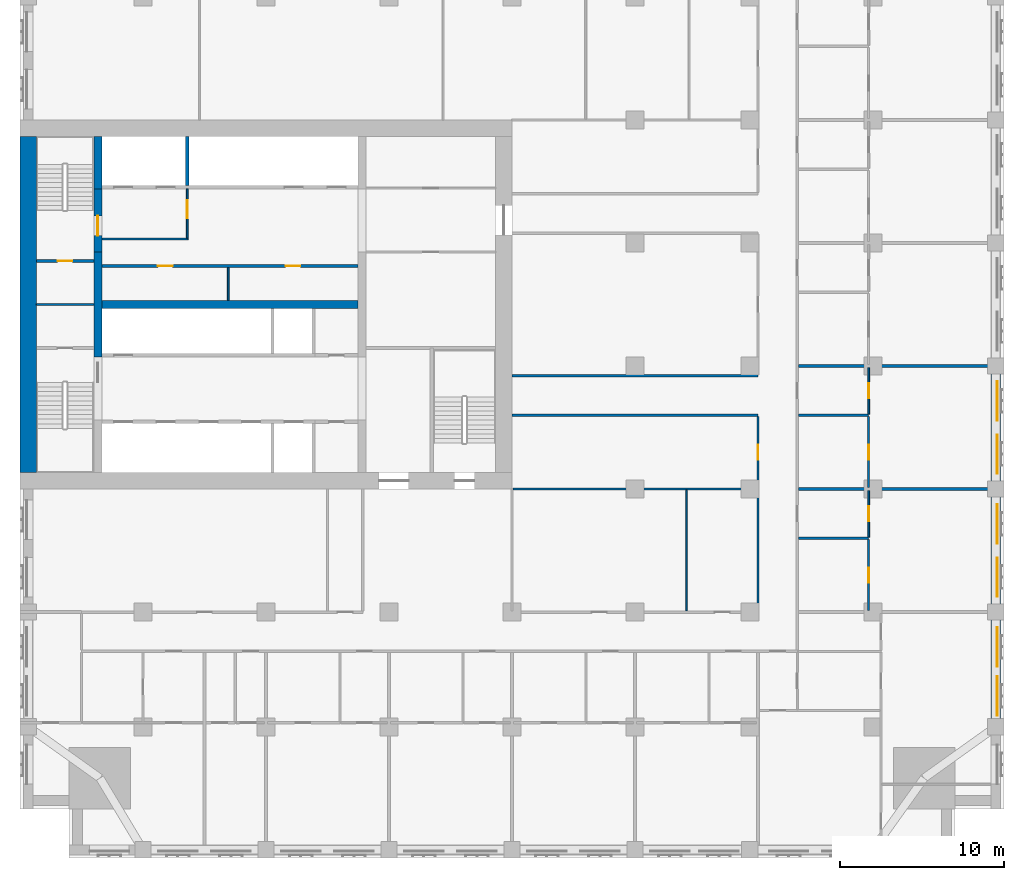
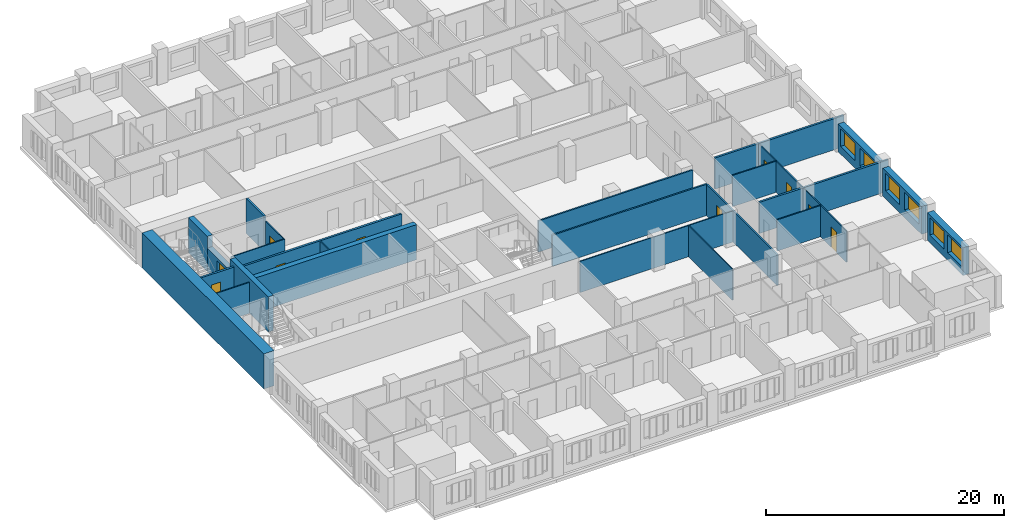
# One storey, part 7 of 14: 28 walls, 10 doors, 6 windows, 16 openings.
"""IFC4 building model written with IfcOpenShell, lengths in metres."""

from ifc_helpers import new_model, si_unit, direction, frame, frame_2d, origin, place, context, subcontext, project, spatial, rectangle, extrude, material, layer, layer_set, type_object, element, fill, save


model = new_model("IFC4")

# Units and contexts
model_context = context("Model", 3, precision=1e-05, world=origin(), true_north=direction((0.0, 1.0)))
body_context = subcontext(model_context, "Body", "Model", "MODEL_VIEW")
ifc_project = project(units=[si_unit("LENGTHUNIT", "METRE"), si_unit("AREAUNIT", "SQUARE_METRE"), si_unit("VOLUMEUNIT", "CUBIC_METRE"), si_unit("PLANEANGLEUNIT", "RADIAN"), si_unit("MASSUNIT", "GRAM", prefix="KILO")], contexts=[model_context])

# Site, building, storey
site_placement = place(None, origin())
site = spatial("IfcSite", under=ifc_project, at=site_placement, CompositionType="ELEMENT")
building_placement = place(site_placement, origin())
building = spatial("IfcBuilding", under=site, at=building_placement, Name="Tamorin Gate", CompositionType="ELEMENT")
storey_placement = place(building_placement, frame((0.0, 0.0, 115.10009765625)))
storey = spatial("IfcBuildingStorey", under=building, at=storey_placement, Name="L28", CompositionType="ELEMENT", Elevation=115.10009765625)

# Wall, openings, windows
ifc_material_1 = material(Name="Precast concrete C40/50", Category="concrete")
ifc_layer_1 = layer(ifc_material_1, 0.60009765625)
ifc_layer_set_1 = layer_set([ifc_layer_1], Name="Precast concrete C40/50")
wall_type_1 = type_object("IfcWallType", Name="Board-marked concrete facade panel 600", PredefinedType="SOLIDWALL", material=ifc_layer_set_1)
wall_1_placement = place(storey_placement, frame((89.5, 46.0, 0.0), z_axis=(0.0, 0.0, 1.0), x_axis=(0.0, 1.0, 0.0)))
wall_1 = element("IfcWall", 1, at=wall_1_placement, inside=storey, type_object=wall_type_1, Name="Facade panel", PredefinedType="SOLIDWALL", context=body_context, shape_type="SweptSolid", body=[
    extrude(rectangle(XDim=6.0, YDim=0.60009765625, at=frame_2d((3.0, 0.0))), origin(), (0.0, 0.0, 1.0), 2.849853515625),
])
opening_1_placement = place(wall_1_placement, frame((0.175048828125, 0.0, 0.800048828125)))
opening_1 = element("IfcOpeningElement", 2, at=opening_1_placement, cuts=wall_1, Name="Opening WN1", PredefinedType="OPENING", context=body_context, shape_type="SweptSolid", body=[
    extrude(rectangle(XDim=2.39990234375, YDim=1.800048828125, at=frame_2d((1.199951171875, 0.89990234375))), frame((0.0, 0.31005859375, 0.0), z_axis=(0.0, -1.0, 0.0), x_axis=(1.0, 0.0, 0.0)), (0.0, 0.0, 1.0), 0.6201171875),
])
opening_2_placement = place(wall_1_placement, frame((3.175048828125, 0.0, 0.800048828125)))
opening_2 = element("IfcOpeningElement", 3, at=opening_2_placement, cuts=wall_1, Name="Opening WN1", PredefinedType="OPENING", context=body_context, shape_type="SweptSolid", body=[
    extrude(rectangle(XDim=2.39990234375, YDim=1.800048828125, at=frame_2d((1.199951171875, 0.89990234375))), frame((0.0, 0.31005859375, 0.0), z_axis=(0.0, -1.0, 0.0), x_axis=(1.0, 0.0, 0.0)), (0.0, 0.0, 1.0), 0.6201171875),
])
ifc_material_2 = material(Name="Clear glass in aluminium frame", Category="aluminium")
window_type = type_object("IfcWindowType", Name="Deep-set window 2400x1800", PartitioningType="SINGLE_PANEL", PredefinedType="WINDOW", material=ifc_material_2)
window_1_placement = place(opening_1_placement, origin())
window_1 = element("IfcWindow", 4, at=window_1_placement, inside=storey, type_object=window_type, Name="Deep-set window", OverallHeight=1.800048828125, OverallWidth=2.39990234375, PartitioningType="SINGLE_PANEL", PredefinedType="WINDOW", context=body_context, shape_type="SweptSolid", body=[
    extrude(rectangle(XDim=2.39990234375, YDim=1.800048828125, at=frame_2d((1.199951171875, 0.89990234375))), frame((0.0, -0.070068359375, 0.0), z_axis=(0.0, -1.0, 0.0), x_axis=(1.0, 0.0, 0.0)), (0.0, 0.0, 1.0), 0.06005859375),
])
fill(opening_1, window_1)
window_2_placement = place(opening_2_placement, origin())
window_2 = element("IfcWindow", 5, at=window_2_placement, inside=storey, type_object=window_type, Name="Deep-set window", OverallHeight=1.800048828125, OverallWidth=2.39990234375, PartitioningType="SINGLE_PANEL", PredefinedType="WINDOW", context=body_context, shape_type="SweptSolid", body=[
    extrude(rectangle(XDim=2.39990234375, YDim=1.800048828125, at=frame_2d((1.199951171875, 0.89990234375))), frame((0.0, -0.070068359375, 0.0), z_axis=(0.0, -1.0, 0.0), x_axis=(1.0, 0.0, 0.0)), (0.0, 0.0, 1.0), 0.06005859375),
])
fill(opening_2, window_2)

wall_2_placement = place(storey_placement, frame((89.5, 53.0, 0.0), z_axis=(0.0, 0.0, 1.0), x_axis=(0.0, 1.0, 0.0)))
wall_2 = element("IfcWall", 6, at=wall_2_placement, inside=storey, type_object=wall_type_1, Name="Facade panel", PredefinedType="SOLIDWALL", context=body_context, shape_type="SweptSolid", body=[
    extrude(rectangle(XDim=6.5, YDim=0.60009765625, at=frame_2d((3.25, 0.0))), origin(), (0.0, 0.0, 1.0), 2.849853515625),
])
opening_3_placement = place(wall_2_placement, frame((0.425048828125, 0.0, 0.800048828125)))
opening_3 = element("IfcOpeningElement", 7, at=opening_3_placement, cuts=wall_2, Name="Opening WN1", PredefinedType="OPENING", context=body_context, shape_type="SweptSolid", body=[
    extrude(rectangle(XDim=2.39990234375, YDim=1.800048828125, at=frame_2d((1.199951171875, 0.89990234375))), frame((0.0, 0.31005859375, 0.0), z_axis=(0.0, -1.0, 0.0), x_axis=(1.0, 0.0, 0.0)), (0.0, 0.0, 1.0), 0.6201171875),
])
opening_4_placement = place(wall_2_placement, frame((3.675048828125, 0.0, 0.800048828125)))
opening_4 = element("IfcOpeningElement", 8, at=opening_4_placement, cuts=wall_2, Name="Opening WN1", PredefinedType="OPENING", context=body_context, shape_type="SweptSolid", body=[
    extrude(rectangle(XDim=2.39990234375, YDim=1.800048828125, at=frame_2d((1.199951171875, 0.89990234375))), frame((0.0, 0.31005859375, 0.0), z_axis=(0.0, -1.0, 0.0), x_axis=(1.0, 0.0, 0.0)), (0.0, 0.0, 1.0), 0.6201171875),
])
window_3_placement = place(opening_3_placement, origin())
window_3 = element("IfcWindow", 9, at=window_3_placement, inside=storey, type_object=window_type, Name="Deep-set window", OverallHeight=1.800048828125, OverallWidth=2.39990234375, PartitioningType="SINGLE_PANEL", PredefinedType="WINDOW", context=body_context, shape_type="SweptSolid", body=[
    extrude(rectangle(XDim=2.39990234375, YDim=1.800048828125, at=frame_2d((1.199951171875, 0.89990234375))), frame((0.0, -0.070068359375, 0.0), z_axis=(0.0, -1.0, 0.0), x_axis=(1.0, 0.0, 0.0)), (0.0, 0.0, 1.0), 0.06005859375),
])
fill(opening_3, window_3)
window_4_placement = place(opening_4_placement, origin())
window_4 = element("IfcWindow", 10, at=window_4_placement, inside=storey, type_object=window_type, Name="Deep-set window", OverallHeight=1.800048828125, OverallWidth=2.39990234375, PartitioningType="SINGLE_PANEL", PredefinedType="WINDOW", context=body_context, shape_type="SweptSolid", body=[
    extrude(rectangle(XDim=2.39990234375, YDim=1.800048828125, at=frame_2d((1.199951171875, 0.89990234375))), frame((0.0, -0.070068359375, 0.0), z_axis=(0.0, -1.0, 0.0), x_axis=(1.0, 0.0, 0.0)), (0.0, 0.0, 1.0), 0.06005859375),
])
fill(opening_4, window_4)

wall_3_placement = place(storey_placement, frame((89.5, 60.5, 0.0), z_axis=(0.0, 0.0, 1.0), x_axis=(0.0, 1.0, 0.0)))
wall_3 = element("IfcWall", 11, at=wall_3_placement, inside=storey, type_object=wall_type_1, Name="Facade panel", PredefinedType="SOLIDWALL", context=body_context, shape_type="SweptSolid", body=[
    extrude(rectangle(XDim=6.5, YDim=0.60009765625, at=frame_2d((3.25, 0.0))), origin(), (0.0, 0.0, 1.0), 2.849853515625),
])
opening_5_placement = place(wall_3_placement, frame((0.425048828125, 0.0, 0.800048828125)))
opening_5 = element("IfcOpeningElement", 12, at=opening_5_placement, cuts=wall_3, Name="Opening WN1", PredefinedType="OPENING", context=body_context, shape_type="SweptSolid", body=[
    extrude(rectangle(XDim=2.39990234375, YDim=1.800048828125, at=frame_2d((1.199951171875, 0.89990234375))), frame((0.0, 0.31005859375, 0.0), z_axis=(0.0, -1.0, 0.0), x_axis=(1.0, 0.0, 0.0)), (0.0, 0.0, 1.0), 0.6201171875),
])
opening_6_placement = place(wall_3_placement, frame((3.675048828125, 0.0, 0.800048828125)))
opening_6 = element("IfcOpeningElement", 13, at=opening_6_placement, cuts=wall_3, Name="Opening WN1", PredefinedType="OPENING", context=body_context, shape_type="SweptSolid", body=[
    extrude(rectangle(XDim=2.39990234375, YDim=1.800048828125, at=frame_2d((1.199951171875, 0.89990234375))), frame((0.0, 0.31005859375, 0.0), z_axis=(0.0, -1.0, 0.0), x_axis=(1.0, 0.0, 0.0)), (0.0, 0.0, 1.0), 0.6201171875),
])
window_5_placement = place(opening_5_placement, origin())
window_5 = element("IfcWindow", 14, at=window_5_placement, inside=storey, type_object=window_type, Name="Deep-set window", OverallHeight=1.800048828125, OverallWidth=2.39990234375, PartitioningType="SINGLE_PANEL", PredefinedType="WINDOW", context=body_context, shape_type="SweptSolid", body=[
    extrude(rectangle(XDim=2.39990234375, YDim=1.800048828125, at=frame_2d((1.199951171875, 0.89990234375))), frame((0.0, -0.070068359375, 0.0), z_axis=(0.0, -1.0, 0.0), x_axis=(1.0, 0.0, 0.0)), (0.0, 0.0, 1.0), 0.06005859375),
])
fill(opening_5, window_5)
window_6_placement = place(opening_6_placement, origin())
window_6 = element("IfcWindow", 15, at=window_6_placement, inside=storey, type_object=window_type, Name="Deep-set window", OverallHeight=1.800048828125, OverallWidth=2.39990234375, PartitioningType="SINGLE_PANEL", PredefinedType="WINDOW", context=body_context, shape_type="SweptSolid", body=[
    extrude(rectangle(XDim=2.39990234375, YDim=1.800048828125, at=frame_2d((1.199951171875, 0.89990234375))), frame((0.0, -0.070068359375, 0.0), z_axis=(0.0, -1.0, 0.0), x_axis=(1.0, 0.0, 0.0)), (0.0, 0.0, 1.0), 0.06005859375),
])
fill(opening_6, window_6)

# Wall, opening, door
ifc_material_3 = material(Name="Gypsum board partition")
ifc_layer_2 = layer(ifc_material_3, 0.14990234375)
ifc_layer_set_2 = layer_set([ifc_layer_2], Name="Corridor wall 150")
wall_type_2 = type_object("IfcWallType", Name="Corridor wall 150", PredefinedType="PARTITIONING", material=ifc_layer_set_2)
wall_4_placement = place(storey_placement, frame((75.0, 52.574951171875, 0.0), z_axis=(0.0, 0.0, 1.0), x_axis=(0.0, 1.0, 0.0)))
wall_4 = element("IfcWall", 16, at=wall_4_placement, inside=storey, type_object=wall_type_2, Name="Corridor wall 150", PredefinedType="PARTITIONING", context=body_context, shape_type="SweptSolid", body=[
    extrude(rectangle(XDim=11.85009765625, YDim=0.14990234375, at=frame_2d((5.925048828125, 0.0))), origin(), (0.0, 0.0, 1.0), 3.199951171875),
])
opening_7_placement = place(wall_4_placement, frame((9.22509765625, 0.0, 0.0)))
opening_7 = element("IfcOpeningElement", 17, at=opening_7_placement, cuts=wall_4, Name="Opening DH7075", PredefinedType="OPENING", context=body_context, shape_type="SweptSolid", body=[
    extrude(rectangle(XDim=0.89990234375, YDim=2.10009765625, at=frame_2d((0.449951171875, 1.050048828125))), frame((0.0, 0.0849609375, 0.0), z_axis=(0.0, -1.0, 0.0), x_axis=(1.0, 0.0, 0.0)), (0.0, 0.0, 1.0), 0.169921875),
])
ifc_material_4 = material(Name="Timber door leaf", Category="wood")
door_type_1 = type_object("IfcDoorType", Name="Door 900 x 2100 FD30S", OperationType="NOTDEFINED", PredefinedType="DOOR", material=ifc_material_4)
door_1_placement = place(opening_7_placement, origin())
door_1 = element("IfcDoor", 18, at=door_1_placement, inside=storey, type_object=door_type_1, Name="Door DH7075", OperationType="SINGLE_SWING_LEFT", OverallHeight=2.10009765625, OverallWidth=0.89990234375, PredefinedType="DOOR", context=body_context, shape_type="SweptSolid", body=[
    extrude(rectangle(XDim=0.89990234375, YDim=2.10009765625, at=frame_2d((0.449951171875, 1.050048828125))), frame((0.0, 0.02490234375, 0.0), z_axis=(0.0, -1.0, 0.0), x_axis=(1.0, 0.0, 0.0)), (0.0, 0.0, 1.0), 0.050048828125),
])
fill(opening_7, door_1)

# Walls
ifc_layer_3 = layer(ifc_material_3, 0.199951171875)
ifc_layer_set_3 = layer_set([ifc_layer_3], Name="Demising wall 200")
wall_type_3 = type_object("IfcWallType", Name="Demising wall 200", PredefinedType="PARTITIONING", material=ifc_layer_set_3)
for number, where, z_axis, x_axis, name in (
    (19, (77.47509765625, 60.0, 0.0), (0.0, 0.0, 1.0), (1.0, 0.0, 0.0), "Demising wall 200"),
    (20, (77.47509765625, 67.5, 0.0), (0.0, 0.0, 1.0), (1.0, 0.0, 0.0), "Demising wall 200"),
):
    element("IfcWall", number, at=place(storey_placement, frame(where, z_axis=z_axis, x_axis=x_axis)), inside=storey, type_object=wall_type_3, Name=name, PredefinedType="PARTITIONING", context=body_context, shape_type="SweptSolid", body=[
        extrude(rectangle(XDim=12.52490234375, YDim=0.199951171875, at=frame_2d((6.262451171875, 0.0))), origin(), (0.0, 0.0, 1.0), 3.199951171875),
    ])
ifc_material_5 = material(Name="Concrete C32/40", Category="concrete")
ifc_layer_4 = layer(ifc_material_5, 0.199951171875)
ifc_layer_set_4 = layer_set([ifc_layer_4], Name="Lift shaft wall 200 EI 120")
wall_type_4 = type_object("IfcWallType", Name="Lift shaft wall 200 EI 120", PredefinedType="SOLIDWALL", material=ifc_layer_set_4)
wall_5_placement = place(storey_placement, frame((40.199951171875, 78.5, 0.0), z_axis=(0.0, 0.0, 1.0), x_axis=(0.0, 1.0, 0.0)))
element("IfcWall", 21, at=wall_5_placement, inside=storey, type_object=wall_type_4, Name="Lift shaft wall", PredefinedType="SOLIDWALL", context=body_context, shape_type="SweptSolid", body=[
    extrude(rectangle(XDim=3.0, YDim=0.199951171875, at=frame_2d((1.5, 0.0))), origin(), (0.0, 0.0, 1.0), 3.599853515625),
])
ifc_material_6 = material(Name="Fire-rated gypsum board partition")
ifc_layer_5 = layer(ifc_material_6, 0.10009765625)
ifc_layer_set_5 = layer_set([ifc_layer_5], Name="Lobby wall 100 EI 60")
wall_type_5 = type_object("IfcWallType", Name="Lobby wall 100 EI 60", PredefinedType="PARTITIONING", material=ifc_layer_set_5)
wall_6_placement = place(storey_placement, frame((35.0, 75.25, 0.0), z_axis=(0.0, 0.0, 1.0), x_axis=(1.0, 0.0, 0.0)))
element("IfcWall", 22, at=wall_6_placement, inside=storey, type_object=wall_type_5, Name="Firefighting lobby wall", PredefinedType="PARTITIONING", context=body_context, shape_type="SweptSolid", body=[
    extrude(rectangle(XDim=5.25, YDim=0.10009765625, at=frame_2d((2.625, 0.0))), origin(), (0.0, 0.0, 1.0), 3.18994140625),
])

# Wall, opening, door
wall_7_placement = place(storey_placement, frame((40.199951171875, 75.300048828125, 0.0), z_axis=(0.0, 0.0, 1.0), x_axis=(0.0, 1.0, 0.0)))
wall_7 = element("IfcWall", 23, at=wall_7_placement, inside=storey, type_object=wall_type_5, Name="Firefighting lobby wall", PredefinedType="PARTITIONING", context=body_context, shape_type="SweptSolid", body=[
    extrude(rectangle(XDim=3.0, YDim=0.10009765625, at=frame_2d((1.5, 0.0))), origin(), (0.0, 0.0, 1.0), 3.18994140625),
])
opening_8_placement = place(wall_7_placement, frame((1.199951171875, 0.0, 0.0)))
opening_8 = element("IfcOpeningElement", 24, at=opening_8_placement, cuts=wall_7, Name="Opening DF1", PredefinedType="OPENING", context=body_context, shape_type="SweptSolid", body=[
    extrude(rectangle(XDim=1.10009765625, YDim=2.10009765625, at=frame_2d((0.550048828125, 1.050048828125))), frame((0.0, 0.06005859375, 0.0), z_axis=(0.0, -1.0, 0.0), x_axis=(1.0, 0.0, 0.0)), (0.0, 0.0, 1.0), 0.1201171875),
])
ifc_material_7 = material(Name="Steel fire door", Category="steel")
door_type_2 = type_object("IfcDoorType", Name="Firefighting lobby door 1100 x 2100 EI 90", OperationType="SINGLE_SWING_LEFT", PredefinedType="DOOR", material=ifc_material_7)
door_2_placement = place(opening_8_placement, origin())
door_2 = element("IfcDoor", 25, at=door_2_placement, inside=storey, type_object=door_type_2, Name="Firefighting lobby door", OperationType="SINGLE_SWING_LEFT", OverallHeight=2.10009765625, OverallWidth=1.10009765625, PredefinedType="DOOR", context=body_context, shape_type="SweptSolid", body=[
    extrude(rectangle(XDim=1.10009765625, YDim=2.10009765625, at=frame_2d((0.550048828125, 1.050048828125))), frame((0.0, 0.02490234375, 0.0), z_axis=(0.0, -1.0, 0.0), x_axis=(1.0, 0.0, 0.0)), (0.0, 0.0, 1.0), 0.050048828125),
])
fill(opening_8, door_2)

# Walls
ifc_layer_6 = layer(ifc_material_3, 0.14990234375)
ifc_layer_set_6 = layer_set([ifc_layer_6], Name="Lobby wall 150")
wall_type_6 = type_object("IfcWallType", Name="Lobby wall 150", PredefinedType="PARTITIONING", material=ifc_layer_set_6)
for number, where, z_axis, x_axis, name in (
    (26, (60.0, 64.5, 0.0), (0.0, 0.0, 1.0), (1.0, 0.0, 0.0), "Lobby wall 150"),
    (27, (60.0, 66.89990234375, 0.0), (0.0, 0.0, 1.0), (1.0, 0.0, 0.0), "Lobby wall 150"),
):
    element("IfcWall", number, at=place(storey_placement, frame(where, z_axis=z_axis, x_axis=x_axis)), inside=storey, type_object=wall_type_6, Name=name, PredefinedType="PARTITIONING", context=body_context, shape_type="SweptSolid", body=[
        extrude(rectangle(XDim=15.0, YDim=0.14990234375, at=frame_2d((7.5, 0.0))), origin(), (0.0, 0.0, 1.0), 3.199951171875),
    ])
ifc_material_8 = material(Name="Concrete C80/95", Category="concrete")
ifc_layer_7 = layer(ifc_material_8, 0.5)
ifc_layer_set_7 = layer_set([ifc_layer_7], Name="RC core internal wall 500 C80/95")
wall_type_7 = type_object("IfcWallType", Name="RC core internal wall 500 C80/95", PredefinedType="SHEAR", material=ifc_layer_set_7)
wall_8_placement = place(storey_placement, frame((35.0, 71.25, 0.0), z_axis=(0.0, 0.0, 1.0), x_axis=(1.0, 0.0, 0.0)))
element("IfcWall", 28, at=wall_8_placement, inside=storey, type_object=wall_type_7, Name="Core spine wall L28", PredefinedType="SHEAR", context=body_context, shape_type="SweptSolid", body=[
    extrude(rectangle(XDim=15.60009765625, YDim=0.5, at=frame_2d((7.800048828125, 0.0))), origin(), (0.0, 0.0, 1.0), 3.599853515625),
])
wall_9_placement = place(storey_placement, frame((34.75, 68.050048828125, 0.0), z_axis=(0.0, 0.0, 1.0), x_axis=(0.0, 1.0, 0.0)))
element("IfcWall", 29, at=wall_9_placement, inside=storey, type_object=wall_type_7, Name="Core cross wall L28", PredefinedType="SHEAR", context=body_context, shape_type="SweptSolid", body=[
    extrude(rectangle(XDim=6.39990234375, YDim=0.5, at=frame_2d((3.199951171875, 0.0))), origin(), (0.0, 0.0, 1.0), 3.599853515625),
])
wall_10_placement = place(storey_placement, frame((34.75, 78.300048828125, 0.0), z_axis=(0.0, 0.0, 1.0), x_axis=(0.0, 1.0, 0.0)))
element("IfcWall", 30, at=wall_10_placement, inside=storey, type_object=wall_type_7, Name="Core cross wall L28", PredefinedType="SHEAR", context=body_context, shape_type="SweptSolid", body=[
    extrude(rectangle(XDim=3.199951171875, YDim=0.5, at=frame_2d((1.60009765625, 0.0))), origin(), (0.0, 0.0, 1.0), 3.599853515625),
])
ifc_layer_8 = layer(ifc_material_8, 1.0)
ifc_layer_set_8 = layer_set([ifc_layer_8], Name="RC core wall 1000 C80/95")
wall_type_8 = type_object("IfcWallType", Name="RC core wall 1000 C80/95", PredefinedType="SHEAR", material=ifc_layer_set_8)
wall_11_placement = place(storey_placement, frame((30.5, 61.0, 0.0), z_axis=(0.0, 0.0, 1.0), x_axis=(0.0, 1.0, 0.0)))
element("IfcWall", 31, at=wall_11_placement, inside=storey, type_object=wall_type_8, Name="Core wall L28", PredefinedType="SHEAR", context=body_context, shape_type="SweptSolid", body=[
    extrude(rectangle(XDim=20.5, YDim=1.0, at=frame_2d((10.25, 0.0))), origin(), (0.0, 0.0, 1.0), 3.599853515625),
])
ifc_layer_9 = layer(ifc_material_6, 0.10009765625)
ifc_layer_set_9 = layer_set([ifc_layer_9], Name="Riser partition 100 EI 120")
wall_type_9 = type_object("IfcWallType", Name="Riser partition 100 EI 120", PredefinedType="PARTITIONING", material=ifc_layer_set_9)
wall_12_placement = place(storey_placement, frame((31.0, 71.25, 0.0), z_axis=(0.0, 0.0, 1.0), x_axis=(1.0, 0.0, 0.0)))
element("IfcWall", 32, at=wall_12_placement, inside=storey, type_object=wall_type_9, Name="Riser partition", PredefinedType="PARTITIONING", context=body_context, shape_type="SweptSolid", body=[
    extrude(rectangle(XDim=3.5, YDim=0.10009765625, at=frame_2d((1.75, 0.0))), origin(), (0.0, 0.0, 1.0), 3.18994140625),
])
ifc_layer_10 = layer(ifc_material_3, 0.10009765625)
ifc_layer_set_10 = layer_set([ifc_layer_10], Name="Room partition 100")
wall_type_10 = type_object("IfcWallType", Name="Room partition 100", PredefinedType="PARTITIONING", material=ifc_layer_set_10)
wall_13_placement = place(storey_placement, frame((60.074951171875, 60.0, 0.0), z_axis=(0.0, 0.0, 1.0), x_axis=(1.0, 0.0, 0.0)))
element("IfcWall", 33, at=wall_13_placement, inside=storey, type_object=wall_type_10, Name="Room partition 100", PredefinedType="PARTITIONING", context=body_context, shape_type="SweptSolid", body=[
    extrude(rectangle(XDim=14.85009765625, YDim=0.10009765625, at=frame_2d((7.425048828125, 0.0))), origin(), (0.0, 0.0, 1.0), 3.199951171875),
])
wall_14_placement = place(storey_placement, frame((70.64990234375, 52.574951171875, 0.0), z_axis=(0.0, 0.0, 1.0), x_axis=(0.0, 1.0, 0.0)))
element("IfcWall", 34, at=wall_14_placement, inside=storey, type_object=wall_type_10, Name="Room partition 100", PredefinedType="PARTITIONING", context=body_context, shape_type="SweptSolid", body=[
    extrude(rectangle(XDim=7.375, YDim=0.10009765625, at=frame_2d((3.6875, 0.0))), origin(), (0.0, 0.0, 1.0), 3.199951171875),
])

# Wall, opening, door
wall_15_placement = place(storey_placement, frame((81.75, 57.0625, 0.0), z_axis=(0.0, 0.0, 1.0), x_axis=(0.0, 1.0, 0.0)))
wall_15 = element("IfcWall", 35, at=wall_15_placement, inside=storey, type_object=wall_type_10, Name="Room partition 100", PredefinedType="PARTITIONING", context=body_context, shape_type="SweptSolid", body=[
    extrude(rectangle(XDim=2.83740234375, YDim=0.10009765625, at=frame_2d((1.418701171875, 0.0))), origin(), (0.0, 0.0, 1.0), 3.199951171875),
])
opening_9_placement = place(wall_15_placement, frame((0.987548828125, 0.0, 0.0)))
opening_9 = element("IfcOpeningElement", 36, at=opening_9_placement, cuts=wall_15, Name="Opening DH7041", PredefinedType="OPENING", context=body_context, shape_type="SweptSolid", body=[
    extrude(rectangle(XDim=0.89990234375, YDim=2.10009765625, at=frame_2d((0.449951171875, 1.050048828125))), frame((0.0, 0.06005859375, 0.0), z_axis=(0.0, -1.0, 0.0), x_axis=(1.0, 0.0, 0.0)), (0.0, 0.0, 1.0), 0.1201171875),
])
door_type_3 = type_object("IfcDoorType", Name="Door 900 x 2100", OperationType="NOTDEFINED", PredefinedType="DOOR", material=ifc_material_4)
door_3_placement = place(opening_9_placement, origin())
door_3 = element("IfcDoor", 37, at=door_3_placement, inside=storey, type_object=door_type_3, Name="Door DH7041", OperationType="SINGLE_SWING_LEFT", OverallHeight=2.10009765625, OverallWidth=0.89990234375, PredefinedType="DOOR", context=body_context, shape_type="SweptSolid", body=[
    extrude(rectangle(XDim=0.89990234375, YDim=2.10009765625, at=frame_2d((0.449951171875, 1.050048828125))), frame((0.0, 0.02490234375, 0.0), z_axis=(0.0, -1.0, 0.0), x_axis=(1.0, 0.0, 0.0)), (0.0, 0.0, 1.0), 0.050048828125),
])
fill(opening_9, door_3)

wall_16_placement = place(storey_placement, frame((81.75, 64.5625, 0.0), z_axis=(0.0, 0.0, 1.0), x_axis=(0.0, 1.0, 0.0)))
wall_16 = element("IfcWall", 38, at=wall_16_placement, inside=storey, type_object=wall_type_10, Name="Room partition 100", PredefinedType="PARTITIONING", context=body_context, shape_type="SweptSolid", body=[
    extrude(rectangle(XDim=2.83740234375, YDim=0.10009765625, at=frame_2d((1.418701171875, 0.0))), origin(), (0.0, 0.0, 1.0), 3.199951171875),
])
opening_10_placement = place(wall_16_placement, frame((0.987548828125, 0.0, 0.0)))
opening_10 = element("IfcOpeningElement", 39, at=opening_10_placement, cuts=wall_16, Name="Opening DH7044", PredefinedType="OPENING", context=body_context, shape_type="SweptSolid", body=[
    extrude(rectangle(XDim=0.89990234375, YDim=2.10009765625, at=frame_2d((0.449951171875, 1.050048828125))), frame((0.0, 0.06005859375, 0.0), z_axis=(0.0, -1.0, 0.0), x_axis=(1.0, 0.0, 0.0)), (0.0, 0.0, 1.0), 0.1201171875),
])
door_4_placement = place(opening_10_placement, origin())
door_4 = element("IfcDoor", 40, at=door_4_placement, inside=storey, type_object=door_type_3, Name="Door DH7044", OperationType="SINGLE_SWING_LEFT", OverallHeight=2.10009765625, OverallWidth=0.89990234375, PredefinedType="DOOR", context=body_context, shape_type="SweptSolid", body=[
    extrude(rectangle(XDim=0.89990234375, YDim=2.10009765625, at=frame_2d((0.449951171875, 1.050048828125))), frame((0.0, 0.02490234375, 0.0), z_axis=(0.0, -1.0, 0.0), x_axis=(1.0, 0.0, 0.0)), (0.0, 0.0, 1.0), 0.050048828125),
])
fill(opening_10, door_4)

# Wall, openings, doors
ifc_layer_11 = layer(ifc_material_3, 0.199951171875)
ifc_layer_set_11 = layer_set([ifc_layer_11], Name="Service room face wall 200 EI 60")
wall_type_11 = type_object("IfcWallType", Name="Service room face wall 200 EI 60", PredefinedType="PARTITIONING", material=ifc_layer_set_11)
wall_17_placement = place(storey_placement, frame((35.0, 73.60009765625, 0.0), z_axis=(0.0, 0.0, 1.0), x_axis=(1.0, 0.0, 0.0)))
wall_17 = element("IfcWall", 41, at=wall_17_placement, inside=storey, type_object=wall_type_11, Name="Service room face wall", PredefinedType="PARTITIONING", context=body_context, shape_type="SweptSolid", body=[
    extrude(rectangle(XDim=15.60009765625, YDim=0.199951171875, at=frame_2d((7.800048828125, 0.0))), origin(), (0.0, 0.0, 1.0), 3.18994140625),
])
opening_11_placement = place(wall_17_placement, frame((3.39990234375, 0.0, 0.0)))
opening_11 = element("IfcOpeningElement", 42, at=opening_11_placement, cuts=wall_17, Name="Opening DK1", PredefinedType="OPENING", context=body_context, shape_type="SweptSolid", body=[
    extrude(rectangle(XDim=0.89990234375, YDim=2.10009765625, at=frame_2d((0.449951171875, 1.050048828125))), frame((0.0, 0.10986328125, 0.0), z_axis=(0.0, -1.0, 0.0), x_axis=(1.0, 0.0, 0.0)), (0.0, 0.0, 1.0), 0.219970703125),
])
opening_12_placement = place(wall_17_placement, frame((11.199951171875, 0.0, 0.0)))
opening_12 = element("IfcOpeningElement", 43, at=opening_12_placement, cuts=wall_17, Name="Opening DK1", PredefinedType="OPENING", context=body_context, shape_type="SweptSolid", body=[
    extrude(rectangle(XDim=0.89990234375, YDim=2.10009765625, at=frame_2d((0.449951171875, 1.050048828125))), frame((0.0, 0.10986328125, 0.0), z_axis=(0.0, -1.0, 0.0), x_axis=(1.0, 0.0, 0.0)), (0.0, 0.0, 1.0), 0.219970703125),
])
ifc_material_9 = material(Name="Timber fire door", Category="wood")
door_type_4 = type_object("IfcDoorType", Name="Service room door 900 x 2100 EI 60", OperationType="SINGLE_SWING_LEFT", PredefinedType="DOOR", material=ifc_material_9)
door_5_placement = place(opening_11_placement, origin())
door_5 = element("IfcDoor", 44, at=door_5_placement, inside=storey, type_object=door_type_4, Name="Door Housekeeping store", OperationType="SINGLE_SWING_RIGHT", OverallHeight=2.10009765625, OverallWidth=0.89990234375, PredefinedType="DOOR", context=body_context, shape_type="SweptSolid", body=[
    extrude(rectangle(XDim=0.89990234375, YDim=2.10009765625, at=frame_2d((0.449951171875, 1.050048828125))), frame((0.0, 0.02490234375, 0.0), z_axis=(0.0, -1.0, 0.0), x_axis=(1.0, 0.0, 0.0)), (0.0, 0.0, 1.0), 0.050048828125),
])
fill(opening_11, door_5)
door_6_placement = place(opening_12_placement, origin())
door_6 = element("IfcDoor", 45, at=door_6_placement, inside=storey, type_object=door_type_4, Name="Door Electrical and IT room", OperationType="SINGLE_SWING_LEFT", OverallHeight=2.10009765625, OverallWidth=0.89990234375, PredefinedType="DOOR", context=body_context, shape_type="SweptSolid", body=[
    extrude(rectangle(XDim=0.89990234375, YDim=2.10009765625, at=frame_2d((0.449951171875, 1.050048828125))), frame((0.0, 0.02490234375, 0.0), z_axis=(0.0, -1.0, 0.0), x_axis=(1.0, 0.0, 0.0)), (0.0, 0.0, 1.0), 0.050048828125),
])
fill(opening_12, door_6)

# Wall
ifc_layer_12 = layer(ifc_material_3, 0.10009765625)
ifc_layer_set_12 = layer_set([ifc_layer_12], Name="Service room partition 100 EI 60")
wall_type_12 = type_object("IfcWallType", Name="Service room partition 100 EI 60", PredefinedType="PARTITIONING", material=ifc_layer_set_12)
wall_18_placement = place(storey_placement, frame((42.699951171875, 71.5, 0.0), z_axis=(0.0, 0.0, 1.0), x_axis=(0.0, 1.0, 0.0)))
element("IfcWall", 46, at=wall_18_placement, inside=storey, type_object=wall_type_12, Name="Service room partition", PredefinedType="PARTITIONING", context=body_context, shape_type="SweptSolid", body=[
    extrude(rectangle(XDim=2.0, YDim=0.10009765625, at=frame_2d((1.0, 0.0))), origin(), (0.0, 0.0, 1.0), 3.18994140625),
])

# Wall, opening, door
ifc_material_10 = material(Name="Concrete C40/50", Category="concrete")
ifc_layer_13 = layer(ifc_material_10, 0.199951171875)
ifc_layer_set_13 = layer_set([ifc_layer_13], Name="Stair enclosure wall 200 EI 120 C40/50")
wall_type_13 = type_object("IfcWallType", Name="Stair enclosure wall 200 EI 120 C40/50", PredefinedType="SOLIDWALL", material=ifc_layer_set_13)
wall_19_placement = place(storey_placement, frame((31.0, 73.89990234375, 0.0), z_axis=(0.0, 0.0, 1.0), x_axis=(1.0, 0.0, 0.0)))
wall_19 = element("IfcWall", 47, at=wall_19_placement, inside=storey, type_object=wall_type_13, Name="Stair enclosure wall", PredefinedType="SOLIDWALL", context=body_context, shape_type="SweptSolid", body=[
    extrude(rectangle(XDim=3.5, YDim=0.199951171875, at=frame_2d((1.75, 0.0))), origin(), (0.0, 0.0, 1.0), 3.18994140625),
])
opening_13_placement = place(wall_19_placement, frame((1.300048828125, 0.0, 0.0)))
opening_13 = element("IfcOpeningElement", 48, at=opening_13_placement, cuts=wall_19, Name="Opening DR1", PredefinedType="OPENING", context=body_context, shape_type="SweptSolid", body=[
    extrude(rectangle(XDim=0.89990234375, YDim=2.10009765625, at=frame_2d((0.449951171875, 1.050048828125))), frame((0.0, 0.10986328125, 0.0), z_axis=(0.0, -1.0, 0.0), x_axis=(1.0, 0.0, 0.0)), (0.0, 0.0, 1.0), 0.219970703125),
])
door_type_5 = type_object("IfcDoorType", Name="Riser access door 900 x 2100 EI 120", OperationType="SINGLE_SWING_LEFT", PredefinedType="DOOR", material=ifc_material_7)
door_7_placement = place(opening_13_placement, origin())
door_7 = element("IfcDoor", 49, at=door_7_placement, inside=storey, type_object=door_type_5, Name="Communications riser door", OperationType="SINGLE_SWING_RIGHT", OverallHeight=2.10009765625, OverallWidth=0.89990234375, PredefinedType="DOOR", context=body_context, shape_type="SweptSolid", body=[
    extrude(rectangle(XDim=0.89990234375, YDim=2.10009765625, at=frame_2d((0.449951171875, 1.050048828125))), frame((0.0, 0.02490234375, 0.0), z_axis=(0.0, -1.0, 0.0), x_axis=(1.0, 0.0, 0.0)), (0.0, 0.0, 1.0), 0.050048828125),
])
fill(opening_13, door_7)

ifc_layer_14 = layer(ifc_material_5, 0.5)
ifc_layer_set_14 = layer_set([ifc_layer_14], Name="Stair lobby infill wall 500 EI 120")
wall_type_14 = type_object("IfcWallType", Name="Stair lobby infill wall 500 EI 120", PredefinedType="SOLIDWALL", material=ifc_layer_set_14)
wall_20_placement = place(storey_placement, frame((34.75, 74.449951171875, 0.0), z_axis=(0.0, 0.0, 1.0), x_axis=(0.0, 1.0, 0.0)))
wall_20 = element("IfcWall", 50, at=wall_20_placement, inside=storey, type_object=wall_type_14, Name="Stair lobby infill wall", PredefinedType="SOLIDWALL", context=body_context, shape_type="SweptSolid", body=[
    extrude(rectangle(XDim=3.85009765625, YDim=0.5, at=frame_2d((1.925048828125, 0.0))), origin(), (0.0, 0.0, 1.0), 2.39990234375),
])
opening_14_placement = place(wall_20_placement, frame((1.0, 0.0, 0.0)))
opening_14 = element("IfcOpeningElement", 51, at=opening_14_placement, cuts=wall_20, Name="Opening DS1", PredefinedType="OPENING", context=body_context, shape_type="SweptSolid", body=[
    extrude(rectangle(XDim=1.199951171875, YDim=2.10009765625, at=frame_2d((0.60009765625, 1.050048828125))), frame((0.0, 0.260009765625, 0.0), z_axis=(0.0, -1.0, 0.0), x_axis=(1.0, 0.0, 0.0)), (0.0, 0.0, 1.0), 0.52001953125),
])
door_type_6 = type_object("IfcDoorType", Name="Stair door 1200 x 2100 EI 90", OperationType="SINGLE_SWING_LEFT", PredefinedType="DOOR", material=ifc_material_7)
door_8_placement = place(opening_14_placement, origin())
door_8 = element("IfcDoor", 52, at=door_8_placement, inside=storey, type_object=door_type_6, Name="ST2 door", OperationType="SINGLE_SWING_RIGHT", OverallHeight=2.10009765625, OverallWidth=1.199951171875, PredefinedType="DOOR", context=body_context, shape_type="SweptSolid", body=[
    extrude(rectangle(XDim=1.199951171875, YDim=2.10009765625, at=frame_2d((0.60009765625, 1.050048828125))), frame((0.0, 0.02490234375, 0.0), z_axis=(0.0, -1.0, 0.0), x_axis=(1.0, 0.0, 0.0)), (0.0, 0.0, 1.0), 0.050048828125),
])
fill(opening_14, door_8)

# Walls
ifc_layer_15 = layer(ifc_material_3, 0.125)
ifc_layer_set_15 = layer_set([ifc_layer_15], Name="Wet wall 125")
wall_type_15 = type_object("IfcWallType", Name="Wet wall 125", PredefinedType="PARTITIONING", material=ifc_layer_set_15)
for number, where, z_axis, x_axis, name in (
    (53, (77.47509765625, 57.0, 0.0), (0.0, 0.0, 1.0), (1.0, 0.0, 0.0), "Wet wall 125"),
    (54, (77.47509765625, 64.5, 0.0), (0.0, 0.0, 1.0), (1.0, 0.0, 0.0), "Wet wall 125"),
):
    element("IfcWall", number, at=place(storey_placement, frame(where, z_axis=z_axis, x_axis=x_axis)), inside=storey, type_object=wall_type_15, Name=name, PredefinedType="PARTITIONING", context=body_context, shape_type="SweptSolid", body=[
        extrude(rectangle(XDim=4.27490234375, YDim=0.125, at=frame_2d((2.137451171875, 0.0))), origin(), (0.0, 0.0, 1.0), 3.199951171875),
    ])

# Wall, opening, door
wall_21_placement = place(storey_placement, frame((81.75, 52.60009765625, 0.0), z_axis=(0.0, 0.0, 1.0), x_axis=(0.0, 1.0, 0.0)))
wall_21 = element("IfcWall", 55, at=wall_21_placement, inside=storey, type_object=wall_type_15, Name="Wet wall 125", PredefinedType="PARTITIONING", context=body_context, shape_type="SweptSolid", body=[
    extrude(rectangle(XDim=4.33740234375, YDim=0.125, at=frame_2d((2.168701171875, 0.0))), origin(), (0.0, 0.0, 1.0), 3.199951171875),
])
opening_15_placement = place(wall_21_placement, frame((1.699951171875, 0.0, 0.0)))
opening_15 = element("IfcOpeningElement", 56, at=opening_15_placement, cuts=wall_21, Name="Opening DH7039", PredefinedType="OPENING", context=body_context, shape_type="SweptSolid", body=[
    extrude(rectangle(XDim=0.89990234375, YDim=2.10009765625, at=frame_2d((0.449951171875, 1.050048828125))), frame((0.0, 0.072509765625, 0.0), z_axis=(0.0, -1.0, 0.0), x_axis=(1.0, 0.0, 0.0)), (0.0, 0.0, 1.0), 0.14501953125),
])
door_9_placement = place(opening_15_placement, origin())
door_9 = element("IfcDoor", 57, at=door_9_placement, inside=storey, type_object=door_type_3, Name="Door DH7039", OperationType="SINGLE_SWING_LEFT", OverallHeight=2.10009765625, OverallWidth=0.89990234375, PredefinedType="DOOR", context=body_context, shape_type="SweptSolid", body=[
    extrude(rectangle(XDim=0.89990234375, YDim=2.10009765625, at=frame_2d((0.449951171875, 1.050048828125))), frame((0.0, 0.02490234375, 0.0), z_axis=(0.0, -1.0, 0.0), x_axis=(1.0, 0.0, 0.0)), (0.0, 0.0, 1.0), 0.050048828125),
])
fill(opening_15, door_9)

wall_22_placement = place(storey_placement, frame((81.75, 60.10009765625, 0.0), z_axis=(0.0, 0.0, 1.0), x_axis=(0.0, 1.0, 0.0)))
wall_22 = element("IfcWall", 58, at=wall_22_placement, inside=storey, type_object=wall_type_15, Name="Wet wall 125", PredefinedType="PARTITIONING", context=body_context, shape_type="SweptSolid", body=[
    extrude(rectangle(XDim=4.33740234375, YDim=0.125, at=frame_2d((2.168701171875, 0.0))), origin(), (0.0, 0.0, 1.0), 3.199951171875),
])
opening_16_placement = place(wall_22_placement, frame((1.699951171875, 0.0, 0.0)))
opening_16 = element("IfcOpeningElement", 59, at=opening_16_placement, cuts=wall_22, Name="Opening DH7042", PredefinedType="OPENING", context=body_context, shape_type="SweptSolid", body=[
    extrude(rectangle(XDim=0.89990234375, YDim=2.10009765625, at=frame_2d((0.449951171875, 1.050048828125))), frame((0.0, 0.072509765625, 0.0), z_axis=(0.0, -1.0, 0.0), x_axis=(1.0, 0.0, 0.0)), (0.0, 0.0, 1.0), 0.14501953125),
])
door_10_placement = place(opening_16_placement, origin())
door_10 = element("IfcDoor", 60, at=door_10_placement, inside=storey, type_object=door_type_3, Name="Door DH7042", OperationType="SINGLE_SWING_LEFT", OverallHeight=2.10009765625, OverallWidth=0.89990234375, PredefinedType="DOOR", context=body_context, shape_type="SweptSolid", body=[
    extrude(rectangle(XDim=0.89990234375, YDim=2.10009765625, at=frame_2d((0.449951171875, 1.050048828125))), frame((0.0, 0.02490234375, 0.0), z_axis=(0.0, -1.0, 0.0), x_axis=(1.0, 0.0, 0.0)), (0.0, 0.0, 1.0), 0.050048828125),
])
fill(opening_16, door_10)

save(model, "model.ifc")
